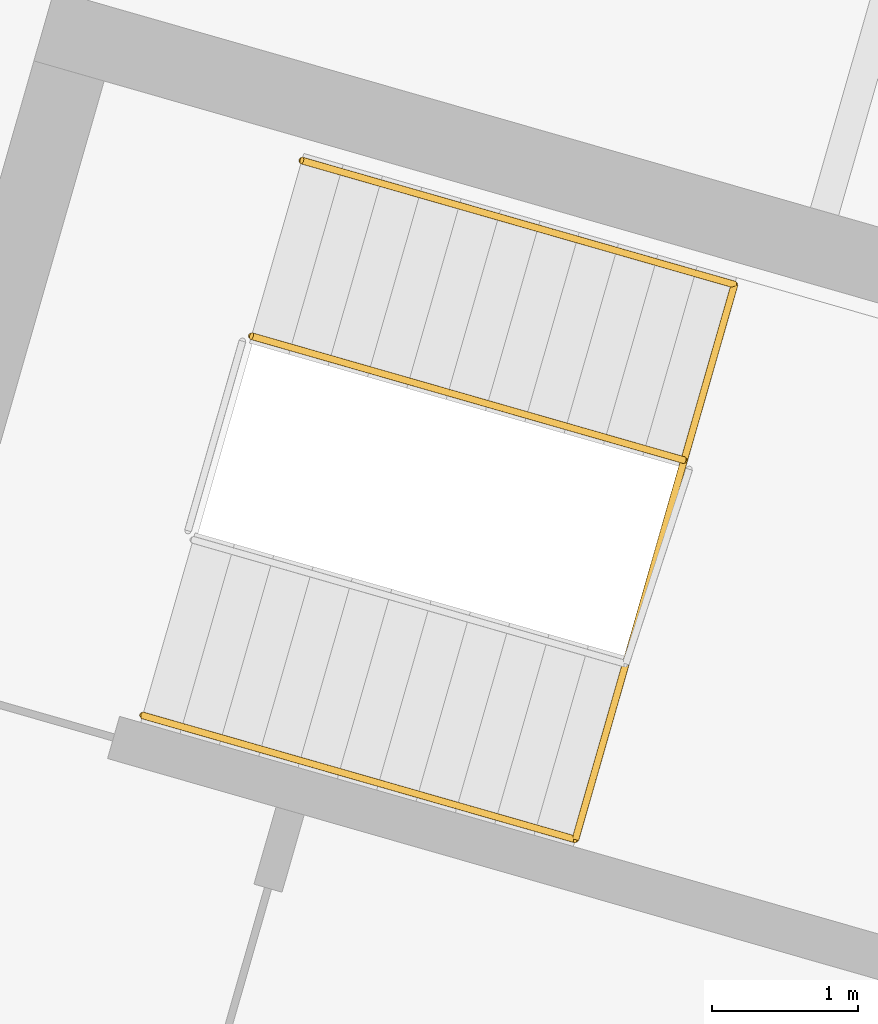
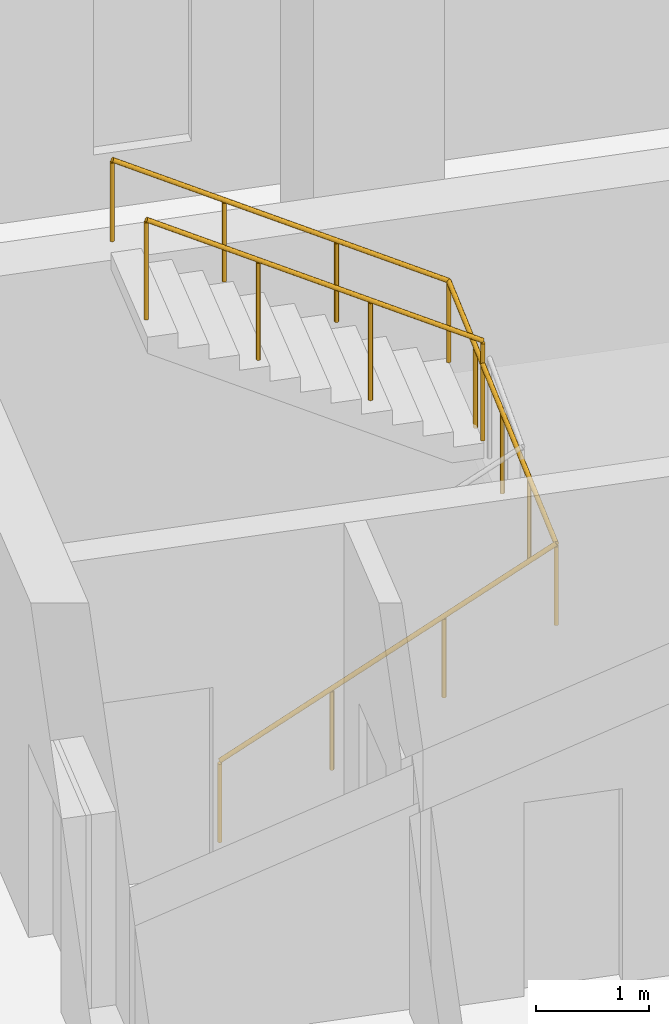
# One storey, part 9 of 9: 2 railings.
"""IFC4 building model written with IfcOpenShell, lengths in metres."""

from ifc_helpers import new_model, si_unit, direction, frame, origin, origin_2d, place, context, subcontext, project, spatial, circle, extrude, material, type_object, element, save


model = new_model("IFC4")

# Units and contexts
model_context = context("Model", 3, precision=1e-05, world=origin(), true_north=direction((0.0, 1.0)))
body_context = subcontext(model_context, "Body", "Model", "MODEL_VIEW")
ifc_project = project(units=[si_unit("LENGTHUNIT", "METRE"), si_unit("AREAUNIT", "SQUARE_METRE"), si_unit("VOLUMEUNIT", "CUBIC_METRE"), si_unit("PLANEANGLEUNIT", "RADIAN"), si_unit("MASSUNIT", "GRAM", prefix="KILO")], contexts=[model_context])

# Site, building, storey
site_placement = place(None, origin())
site = spatial("IfcSite", under=ifc_project, at=site_placement, CompositionType="ELEMENT")
building_placement = place(site_placement, origin())
building = spatial("IfcBuilding", under=site, at=building_placement, Name="Binnacle Exchange Tower", CompositionType="ELEMENT")
storey_placement = place(building_placement, frame((0.0, 0.0, 174.89990234375)))
storey = spatial("IfcBuildingStorey", under=building, at=storey_placement, Name="L37", CompositionType="ELEMENT", Elevation=174.89990234375)

# Railings
ifc_material_1 = material(Name="Steel guard rail", Category="steel")
railing_type_1 = type_object("IfcRailingType", Name="STAIR GUARD 1100", PredefinedType="GUARDRAIL", material=ifc_material_1)
railing_1_placement = place(storey_placement, frame((24.447021484375, 57.255126953125, 2.166748046875)))
element("IfcRailing", 1, at=railing_1_placement, inside=storey, type_object=railing_type_1, Name="L37 STD1 stair guard 2", PredefinedType="GUARDRAIL", context=body_context, shape_type="SweptSolid", body=[
    extrude(circle(Radius=0.02392578125, at=origin_2d()), frame((0.0, 0.0, 1.076171875), z_axis=(-0.826006950853, 0.236897186037, 0.511460888427), x_axis=(-0.27568413623, -0.961248280639, 0.0)), (0.0, 0.0, 1.0), 3.584228515625),
    extrude(circle(Radius=0.02099609375, at=origin_2d()), origin(), (0.0, 0.0, 1.0), 1.052001953125),
    extrude(circle(Radius=0.02099609375, at=origin_2d()), frame((-0.98681640625, 0.282958984375, 0.611083984375)), (0.0, 0.0, 1.0), 1.052001953125),
    extrude(circle(Radius=0.02099609375, at=origin_2d()), frame((-1.973876953125, 0.566162109375, 1.22216796875)), (0.0, 0.0, 1.0), 1.052001953125),
    extrude(circle(Radius=0.02099609375, at=origin_2d()), frame((-2.960693359375, 0.84912109375, 1.833251953125)), (0.0, 0.0, 1.0), 1.052001953125),
])
ifc_material_2 = material(Name="Steel handrail", Category="steel")
railing_type_2 = type_object("IfcRailingType", Name="STAIR HANDRAIL 900", PredefinedType="HANDRAIL", material=ifc_material_2)
railing_2_placement = place(storey_placement, frame((20.7421875, 55.5087890625, 0.166748046875)))
element("IfcRailing", 2, at=railing_2_placement, inside=storey, type_object=railing_type_2, Name="L37 STD1 stair handrail 1", PredefinedType="HANDRAIL", context=body_context, shape_type="SweptSolid", body=[
    extrude(circle(Radius=0.02392578125, at=origin_2d()), frame((0.0, 0.0, 0.8759765625), z_axis=(0.826020277534, -0.236832893954, 0.511469140266), x_axis=(0.275610892984, 0.961269283639, 0.0)), (0.0, 0.0, 1.0), 3.584228515625),
    extrude(circle(Radius=0.02392578125, at=origin_2d()), frame((2.960693359375, -0.848876953125, 2.708984375), z_axis=(0.275365570671, 0.960413849534, 0.042178668932), x_axis=(-0.961269298493, 0.275610841177, 0.0)), (0.0, 0.0, 1.0), 3.953369140625),
    extrude(circle(Radius=0.02392578125, at=origin_2d()), frame((4.04931640625, 2.947998046875, 2.8759765625), z_axis=(-0.826020277534, 0.236832893954, 0.511469140266), x_axis=(-0.275610892984, -0.961269283639, 0.0)), (0.0, 0.0, 1.0), 3.584228515625),
    extrude(circle(Radius=0.02099609375, at=origin_2d()), origin(), (0.0, 0.0, 1.0), 0.851806640625),
    extrude(circle(Radius=0.02099609375, at=origin_2d()), frame((0.98681640625, -0.282958984375, 0.611083984375)), (0.0, 0.0, 1.0), 0.851806640625),
    extrude(circle(Radius=0.02099609375, at=origin_2d()), frame((1.973876953125, -0.56591796875, 1.22216796875)), (0.0, 0.0, 1.0), 0.851806640625),
    extrude(circle(Radius=0.02099609375, at=origin_2d()), frame((2.960693359375, -0.848876953125, 1.833251953125)), (0.0, 0.0, 1.0), 0.851806640625),
    extrude(circle(Radius=0.02099609375, at=origin_2d()), frame((3.23291015625, 0.100341796875, 1.875)), (0.0, 0.0, 1.0), 0.851806640625),
    extrude(circle(Radius=0.02099609375, at=origin_2d()), frame((3.5048828125, 1.049560546875, 1.91650390625)), (0.0, 0.0, 1.0), 0.851806640625),
    extrude(circle(Radius=0.02099609375, at=origin_2d()), frame((3.777099609375, 1.998779296875, 1.958251953125)), (0.0, 0.0, 1.0), 0.851806640625),
    extrude(circle(Radius=0.02099609375, at=origin_2d()), frame((4.04931640625, 2.947998046875, 2.0)), (0.0, 0.0, 1.0), 0.851806640625),
    extrude(circle(Radius=0.02099609375, at=origin_2d()), frame((3.0625, 3.23095703125, 2.611083984375)), (0.0, 0.0, 1.0), 0.851806640625),
    extrude(circle(Radius=0.02099609375, at=origin_2d()), frame((2.075439453125, 3.513916015625, 3.22216796875)), (0.0, 0.0, 1.0), 0.851806640625),
    extrude(circle(Radius=0.02099609375, at=origin_2d()), frame((1.088623046875, 3.796875, 3.833251953125)), (0.0, 0.0, 1.0), 0.851806640625),
])

save(model, "model.ifc")
